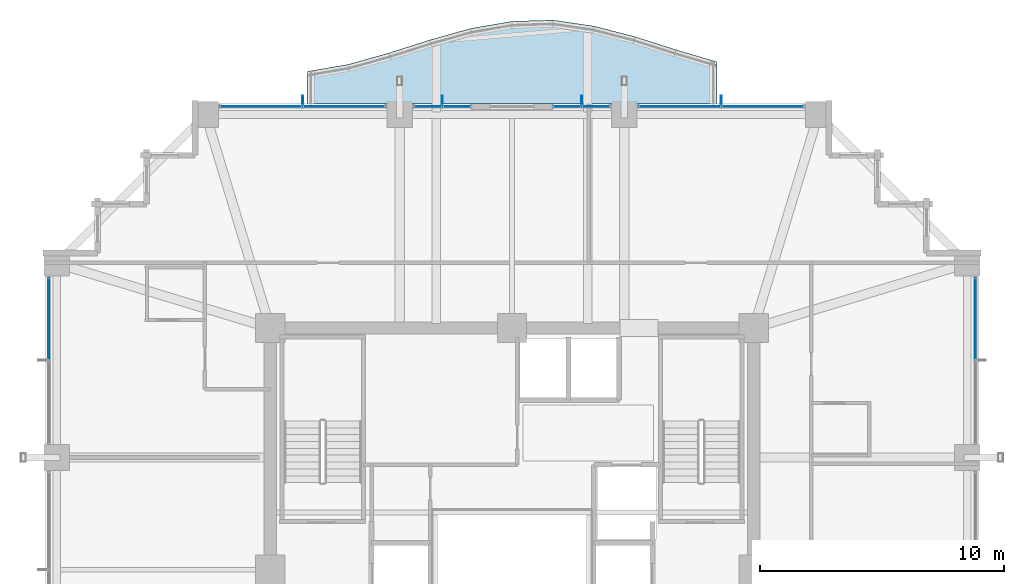
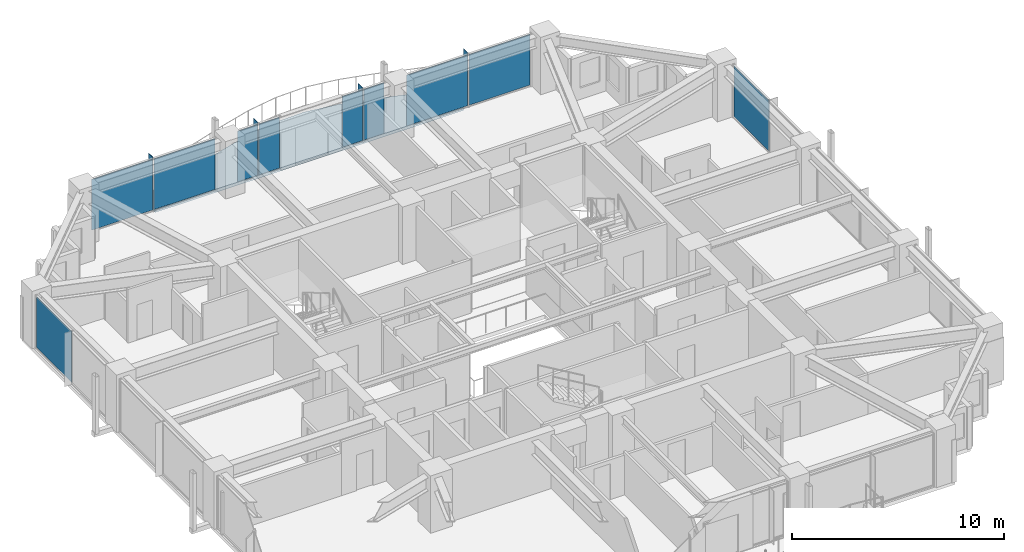
# One storey, part 24 of 31: 14 plates, 1 slab, 6 elements without a shape of their own.
"""IFC4 building model written with IfcOpenShell, lengths in metres."""

from ifc_helpers import new_model, si_unit, direction, frame, origin, origin_2d, place, context, subcontext, project, spatial, polyline, rectangle, outline, extrude, material, layer, layer_set, type_object, element, aggregate, save


model = new_model("IFC4")

# Units and contexts
model_context = context("Model", 3, precision=1e-05, world=origin(), true_north=direction((0.0, 1.0)))
body_context = subcontext(model_context, "Body", "Model", "MODEL_VIEW")
ifc_project = project(units=[si_unit("LENGTHUNIT", "METRE"), si_unit("AREAUNIT", "SQUARE_METRE"), si_unit("VOLUMEUNIT", "CUBIC_METRE"), si_unit("PLANEANGLEUNIT", "RADIAN"), si_unit("MASSUNIT", "GRAM", prefix="KILO")], contexts=[model_context])

# Site, building, storey
site_placement = place(None, origin())
site = spatial("IfcSite", under=ifc_project, at=site_placement, CompositionType="ELEMENT")
building_placement = place(site_placement, origin())
building = spatial("IfcBuilding", under=site, at=building_placement, Name="Kolvaren Belvedere", CompositionType="ELEMENT")
storey_placement = place(building_placement, frame((0.0, 0.0, 118.39990234375)))
storey = spatial("IfcBuildingStorey", under=building, at=storey_placement, Name="L34", CompositionType="ELEMENT", Elevation=118.39990234375)

# Curtain wall, plate
ifc_material_1 = material(Name="Anodised pale-metal aluminium AA 6063-T6", Category="aluminium")
curtain_wall_type = type_object("IfcCurtainWallType", Name="CW-Z3-WAIST", PredefinedType="NOTDEFINED", material=ifc_material_1)
curtain_wall_1_placement = place(storey_placement, origin())
curtain_wall_1 = element("IfcCurtainWall", 1, at=curtain_wall_1_placement, inside=storey, type_object=curtain_wall_type, Name="L34 Unitised Curtain Wall FCW-L34-E-B1", PredefinedType="NOTDEFINED")
ifc_material_2 = material(Name="Low-iron triple insulated glass", Category="glass")
ifc_layer_1 = layer(ifc_material_2, 0.028076171875)
ifc_layer_set_1 = layer_set([ifc_layer_1], Name="Low-iron triple insulated glass")
plate_type_1 = type_object("IfcPlateType", Name="CW-PNL-VIS28", PredefinedType="CURTAIN_PANEL", material=ifc_layer_set_1)
plate_1_placement = place(storey_placement, frame((18.97998046875, 10.273681640625, 0.080078125), z_axis=(0.0, 0.0, 1.0), x_axis=(0.0, -1.0, 0.0)))
plate_1 = element("IfcPlate", 2, at=plate_1_placement, type_object=plate_type_1, Name="FCW-L34-E-B1 Vision Glazing Panel 1", PredefinedType="CURTAIN_PANEL", context=body_context, shape_type="SweptSolid", body=[
    extrude(rectangle(XDim=3.3173828125, YDim=0.028076171875, at=origin_2d()), origin(), (0.0, 0.0, 1.0), 2.919921875),
])
aggregate(curtain_wall_1, [plate_1])

# Curtain wall, plates
curtain_wall_2_placement = place(storey_placement, origin())
curtain_wall_2 = element("IfcCurtainWall", 3, at=curtain_wall_2_placement, inside=storey, type_object=curtain_wall_type, Name="L34 Unitised Curtain Wall FCW-L34-N1-B1", PredefinedType="NOTDEFINED")
plate_2_placement = place(storey_placement, frame((-10.273681640625, 18.97998046875, 0.080078125), z_axis=(0.0, 0.0, 1.0), x_axis=(1.0, 0.0, 0.0)))
plate_2 = element("IfcPlate", 4, at=plate_2_placement, type_object=plate_type_1, Name="FCW-L34-N1-B1 Vision Glazing Panel 1", PredefinedType="CURTAIN_PANEL", context=body_context, shape_type="SweptSolid", body=[
    extrude(rectangle(XDim=3.3173828125, YDim=0.028076171875, at=origin_2d()), origin(), (0.0, 0.0, 1.0), 2.919921875),
])
plate_3_placement = place(storey_placement, frame((-6.876220703125, 18.97998046875, 0.080078125), z_axis=(0.0, 0.0, 1.0), x_axis=(1.0, 0.0, 0.0)))
plate_3 = element("IfcPlate", 5, at=plate_3_placement, type_object=plate_type_1, Name="FCW-L34-N1-B1 Vision Glazing Panel 2", PredefinedType="CURTAIN_PANEL", context=body_context, shape_type="SweptSolid", body=[
    extrude(rectangle(XDim=3.3173828125, YDim=0.028076171875, at=origin_2d()), origin(), (0.0, 0.0, 1.0), 2.919921875),
])
aggregate(curtain_wall_2, [plate_2, plate_3])

curtain_wall_3_placement = place(storey_placement, origin())
curtain_wall_3 = element("IfcCurtainWall", 6, at=curtain_wall_3_placement, inside=storey, type_object=curtain_wall_type, Name="L34 Unitised Curtain Wall FCW-L34-N1-B2", PredefinedType="NOTDEFINED")
plate_4_placement = place(storey_placement, frame((-3.43701171875, 18.97998046875, 0.080078125), z_axis=(0.0, 0.0, 1.0), x_axis=(1.0, 0.0, 0.0)))
plate_4 = element("IfcPlate", 7, at=plate_4_placement, type_object=plate_type_1, Name="FCW-L34-N1-B2 Vision Glazing Panel 1", PredefinedType="CURTAIN_PANEL", context=body_context, shape_type="SweptSolid", body=[
    extrude(rectangle(XDim=1.09130859375, YDim=0.028076171875, at=origin_2d()), origin(), (0.0, 0.0, 1.0), 2.919921875),
])
plate_5_placement = place(storey_placement, frame((-2.265625, 18.97998046875, 0.080078125), z_axis=(0.0, 0.0, 1.0), x_axis=(1.0, 0.0, 0.0)))
plate_5 = element("IfcPlate", 8, at=plate_5_placement, type_object=plate_type_1, Name="FCW-L34-N1-B2 Vision Glazing Panel 2", PredefinedType="CURTAIN_PANEL", context=body_context, shape_type="SweptSolid", body=[
    extrude(rectangle(XDim=1.09130859375, YDim=0.028076171875, at=origin_2d()), origin(), (0.0, 0.0, 1.0), 2.919921875),
])
aggregate(curtain_wall_3, [plate_4, plate_5])

curtain_wall_4_placement = place(storey_placement, origin())
curtain_wall_4 = element("IfcCurtainWall", 9, at=curtain_wall_4_placement, inside=storey, type_object=curtain_wall_type, Name="L34 Unitised Curtain Wall FCW-L34-N2-B1", PredefinedType="NOTDEFINED")
plate_6_placement = place(storey_placement, frame((2.265625, 18.97998046875, 0.080078125), z_axis=(0.0, 0.0, 1.0), x_axis=(1.0, 0.0, 0.0)))
plate_6 = element("IfcPlate", 10, at=plate_6_placement, type_object=plate_type_1, Name="FCW-L34-N2-B1 Vision Glazing Panel 1", PredefinedType="CURTAIN_PANEL", context=body_context, shape_type="SweptSolid", body=[
    extrude(rectangle(XDim=1.09130859375, YDim=0.028076171875, at=origin_2d()), origin(), (0.0, 0.0, 1.0), 2.919921875),
])
plate_7_placement = place(storey_placement, frame((3.43701171875, 18.97998046875, 0.080078125), z_axis=(0.0, 0.0, 1.0), x_axis=(1.0, 0.0, 0.0)))
plate_7 = element("IfcPlate", 11, at=plate_7_placement, type_object=plate_type_1, Name="FCW-L34-N2-B1 Vision Glazing Panel 2", PredefinedType="CURTAIN_PANEL", context=body_context, shape_type="SweptSolid", body=[
    extrude(rectangle(XDim=1.09130859375, YDim=0.028076171875, at=origin_2d()), origin(), (0.0, 0.0, 1.0), 2.919921875),
])
aggregate(curtain_wall_4, [plate_6, plate_7])

curtain_wall_5_placement = place(storey_placement, origin())
curtain_wall_5 = element("IfcCurtainWall", 12, at=curtain_wall_5_placement, inside=storey, type_object=curtain_wall_type, Name="L34 Unitised Curtain Wall FCW-L34-N2-B2", PredefinedType="NOTDEFINED")
plate_8_placement = place(storey_placement, frame((6.876220703125, 18.97998046875, 0.080078125), z_axis=(0.0, 0.0, 1.0), x_axis=(1.0, 0.0, 0.0)))
plate_8 = element("IfcPlate", 13, at=plate_8_placement, type_object=plate_type_1, Name="FCW-L34-N2-B2 Vision Glazing Panel 1", PredefinedType="CURTAIN_PANEL", context=body_context, shape_type="SweptSolid", body=[
    extrude(rectangle(XDim=3.3173828125, YDim=0.028076171875, at=origin_2d()), origin(), (0.0, 0.0, 1.0), 2.919921875),
])
plate_9_placement = place(storey_placement, frame((10.273681640625, 18.97998046875, 0.080078125), z_axis=(0.0, 0.0, 1.0), x_axis=(1.0, 0.0, 0.0)))
plate_9 = element("IfcPlate", 14, at=plate_9_placement, type_object=plate_type_1, Name="FCW-L34-N2-B2 Vision Glazing Panel 2", PredefinedType="CURTAIN_PANEL", context=body_context, shape_type="SweptSolid", body=[
    extrude(rectangle(XDim=3.3173828125, YDim=0.028076171875, at=origin_2d()), origin(), (0.0, 0.0, 1.0), 2.919921875),
])
aggregate(curtain_wall_5, [plate_8, plate_9])

# Curtain wall, plate
curtain_wall_6_placement = place(storey_placement, origin())
curtain_wall_6 = element("IfcCurtainWall", 15, at=curtain_wall_6_placement, inside=storey, type_object=curtain_wall_type, Name="L34 Unitised Curtain Wall FCW-L34-W-B3", PredefinedType="NOTDEFINED")
plate_10_placement = place(storey_placement, frame((-18.97998046875, 10.273681640625, 0.080078125), z_axis=(0.0, 0.0, 1.0), x_axis=(0.0, 1.0, 0.0)))
plate_10 = element("IfcPlate", 16, at=plate_10_placement, type_object=plate_type_1, Name="FCW-L34-W-B3 Vision Glazing Panel 2", PredefinedType="CURTAIN_PANEL", context=body_context, shape_type="SweptSolid", body=[
    extrude(rectangle(XDim=3.3173828125, YDim=0.028076171875, at=origin_2d()), origin(), (0.0, 0.0, 1.0), 2.919921875),
])
aggregate(curtain_wall_6, [plate_10])

# Plates
ifc_material_3 = material(Name="Anodised pale-metal aluminium AA 6063-T6", Category="aluminium")
ifc_layer_2 = layer(ifc_material_3, 0.033935546875)
ifc_layer_set_2 = layer_set([ifc_layer_2], Name="Anodised pale-metal aluminium AA 6063-T6")
plate_type_2 = type_object("IfcPlateType", Name="FIN-VERT-380", PredefinedType="USERDEFINED", material=ifc_layer_set_2)
for number, where, z_axis, x_axis, name in (
    (17, (-8.574951171875, 19.219970703125, 0.0), (0.0, 0.0, 1.0), (0.0, 1.0, 0.0), "L34 Pale-Metal Vertical Shading Fin FCW-L34-N1-B1-1"),
    (18, (-2.851318359375, 19.219970703125, 0.0), (0.0, 0.0, 1.0), (0.0, 1.0, 0.0), "L34 Pale-Metal Vertical Shading Fin FCW-L34-N1-B2-1"),
    (19, (2.851318359375, 19.219970703125, 0.0), (0.0, 0.0, 1.0), (0.0, 1.0, 0.0), "L34 Pale-Metal Vertical Shading Fin FCW-L34-N2-B1-1"),
    (20, (8.574951171875, 19.219970703125, 0.0), (0.0, 0.0, 1.0), (0.0, 1.0, 0.0), "L34 Pale-Metal Vertical Shading Fin FCW-L34-N2-B2-1"),
):
    element("IfcPlate", number, at=place(storey_placement, frame(where, z_axis=z_axis, x_axis=x_axis)), inside=storey, type_object=plate_type_2, Name=name, ObjectType="VERTICAL FIN", PredefinedType="USERDEFINED", context=body_context, shape_type="SweptSolid", body=[
        extrude(rectangle(XDim=0.3798828125, YDim=0.033935546875, at=origin_2d()), origin(), (0.0, 0.0, 1.0), 3.080078125),
    ])

# Slab
ifc_material_4 = material(Name="Concrete C50/60", Category="concrete")
ifc_layer_3 = layer(ifc_material_4, 0.179931640625)
ifc_layer_set_3 = layer_set([ifc_layer_3], Name="Concrete C50/60")
slab_type = type_object("IfcSlabType", Name="SL-BAL-180", PredefinedType="FLOOR", material=ifc_layer_set_3)
slab_placement = place(storey_placement, frame((0.0, 0.0, -0.219970703125)))
element("IfcSlab", 21, at=slab_placement, inside=storey, type_object=slab_type, Name="L34 Planted Balcony BAL-N", PredefinedType="FLOOR", context=body_context, shape_type="SweptSolid", body=[
    extrude(outline(polyline([(-8.39990234375, 19.10009765625), (-6.719970703125, 19.10009765625), (-5.0400390625, 19.10009765625), (-3.360107421875, 19.10009765625), (-1.679931640625, 19.10009765625), (0.0, 19.10009765625), (1.679931640625, 19.10009765625), (3.360107421875, 19.10009765625), (5.0400390625, 19.10009765625), (6.719970703125, 19.10009765625), (8.39990234375, 19.10009765625), (8.39990234375, 20.80517578125), (6.719970703125, 21.3046875), (5.0400390625, 21.837646484375), (3.360107421875, 22.272216796875), (1.679931640625, 22.52001953125), (0.0, 22.467041015625), (-1.679931640625, 22.17919921875), (-3.360107421875, 21.70849609375), (-5.0400390625, 21.17138671875), (-6.719970703125, 20.70068359375), (-8.39990234375, 20.412841796875), (-8.39990234375, 19.10009765625)])), origin(), (0.0, 0.0, 1.0), 0.18017578125),
])

save(model, "model.ifc")
